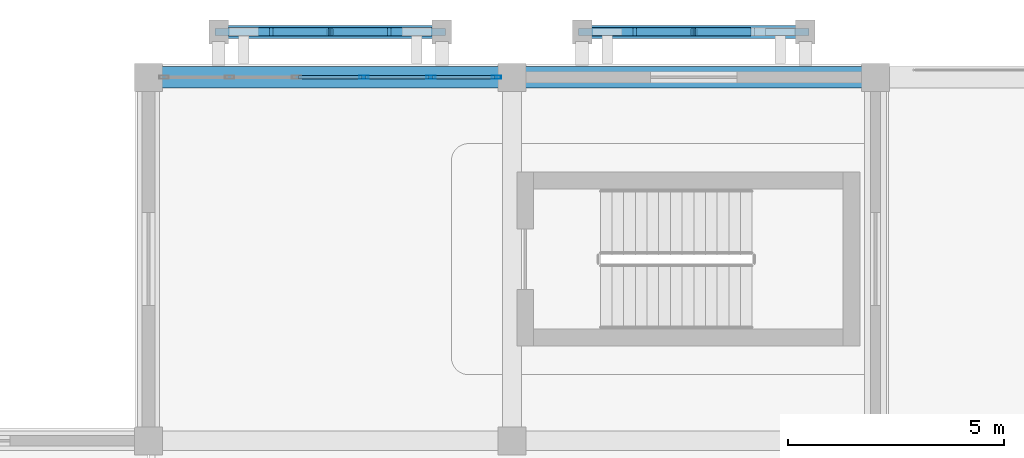
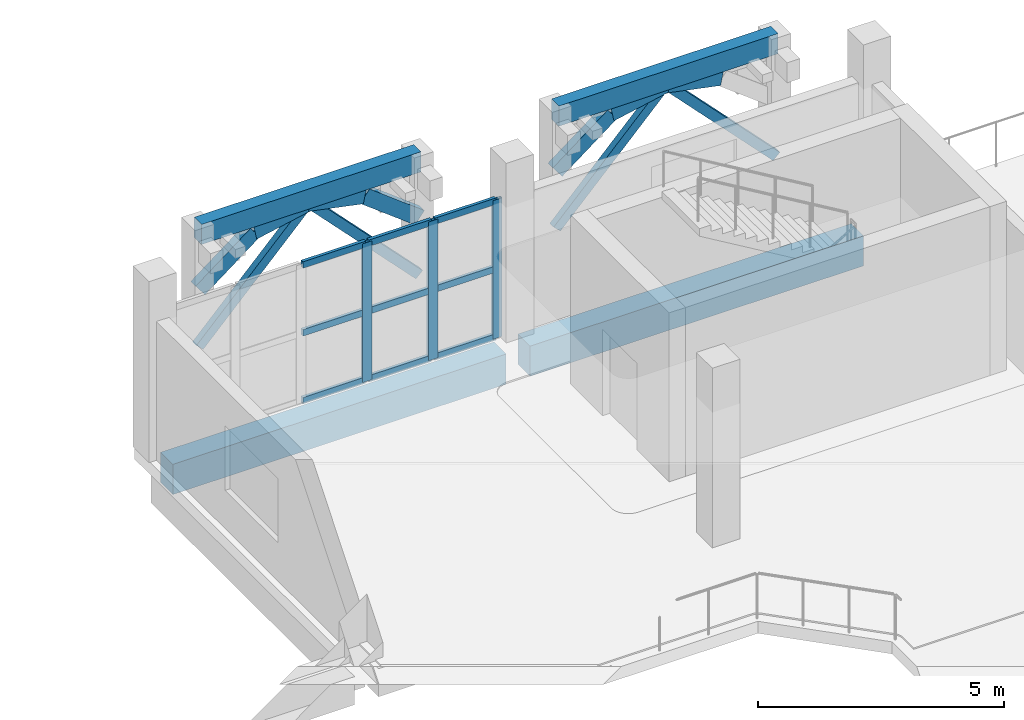
# One storey, part 11 of 22: 23 members, 4 beams, 1 element without a shape of its own.
"""IFC4 building model written with IfcOpenShell, lengths in metres."""

import ifcopenshell
import ifcopenshell.guid

model = None  # the IFC model being written
_history = None  # IfcOwnerHistory: only IFC2X3 demands one
_inside = {}  # id of a spatial element -> (the spatial element, [elements in it])
_under = {}  # id of a project, library or spatial element -> (it, [spatial elements below it])
_declared = {}  # id of a project -> (the project, [libraries it declares])
_typed = {}  # id of a type object -> (the type object, [elements of that type])
_made_of = {}  # id of a material, layer set ... -> (it, [elements and type objects made of it])


def new_model(schema):
    """Start an empty IFC model of exactly this schema.

    Asked for "IFC4X3", IfcOpenShell would pick the latest addendum, in which some entities
    have other attributes; the version numbers below select the first issue.
    IFC2X3 requires an IfcOwnerHistory on every rooted entity: one is made here for all.
    """
    global model, _history
    if schema == "IFC4X3":
        model = ifcopenshell.file(schema_version=(4, 3, 0, 0))
    else:
        model = ifcopenshell.file(schema=schema)
    _inside.clear()
    _under.clear()
    _declared.clear()
    _typed.clear()
    _made_of.clear()
    _history = None
    if model.schema == "IFC2X3":
        org = make("IfcOrganization", Name="unknown")
        user = make(
            "IfcPersonAndOrganization",
            ThePerson=make("IfcPerson", FamilyName="unknown"),
            TheOrganization=org,
        )
        app = make(
            "IfcApplication",
            ApplicationDeveloper=org,
            Version="unknown",
            ApplicationFullName="unknown",
            ApplicationIdentifier="unknown",
        )
        _history = make(
            "IfcOwnerHistory",
            OwningUser=user,
            OwningApplication=app,
            ChangeAction="ADDED",
            CreationDate=0,
        )
    return model


def make(cls, **values):
    """One entity of the class cls with the attributes given. An attribute that is None is left unset."""
    return model.create_entity(
        cls, **{name: value for name, value in values.items() if value is not None}
    )


def rooted(cls, **values):
    """An entity with a GlobalId (a new one), such as an element, a storey or a relation."""
    return make(cls, GlobalId=ifcopenshell.guid.new(), OwnerHistory=_history, **values)


def si_unit(unit_type, name, prefix=None):
    """IfcSIUnit, for example si_unit("LENGTHUNIT", "METRE", prefix="MILLI")."""
    return make("IfcSIUnit", UnitType=unit_type, Prefix=prefix, Name=name)


def assignment(units):
    """IfcUnitAssignment: the units of a project."""
    return None if units is None else make("IfcUnitAssignment", Units=units)


def point(xyz):
    """IfcCartesianPoint."""
    return None if xyz is None else make("IfcCartesianPoint", Coordinates=xyz)


def direction(xyz):
    """IfcDirection."""
    return None if xyz is None else make("IfcDirection", DirectionRatios=xyz)


def frame(location, z_axis=None, x_axis=None):
    """IfcAxis2Placement3D, a coordinate frame: its origin and axes. An axis left out is left unset."""
    return make(
        "IfcAxis2Placement3D",
        Location=point(location),
        Axis=direction(z_axis),
        RefDirection=direction(x_axis),
    )


def frame_2d(location, x_axis=None):
    """IfcAxis2Placement2D, a coordinate frame in the plane: its origin and x axis."""
    return make(
        "IfcAxis2Placement2D", Location=point(location), RefDirection=direction(x_axis)
    )


def origin():
    """The frame at (0, 0, 0) with its axes left unset."""
    return frame((0.0, 0.0, 0.0))


def origin_2d():
    """The frame at (0, 0) in the plane with its x axis left unset."""
    return frame_2d((0.0, 0.0))


def place(relative_to, where):
    """IfcLocalPlacement: puts the frame where relative to a parent placement (None: the world)."""
    return make(
        "IfcLocalPlacement", PlacementRelTo=relative_to, RelativePlacement=where
    )


def context(
    kind, dimensions, precision=None, world=None, true_north=None, identifier=None
):
    """IfcGeometricRepresentationContext, for example the 3D "Model" context."""
    return make(
        "IfcGeometricRepresentationContext",
        ContextIdentifier=identifier,
        ContextType=kind,
        CoordinateSpaceDimension=dimensions,
        Precision=precision,
        WorldCoordinateSystem=world,
        TrueNorth=true_north,
    )


def subcontext(parent, identifier, kind, view, scale=None):
    """IfcGeometricRepresentationSubContext, for example "Body" below "Model"."""
    return make(
        "IfcGeometricRepresentationSubContext",
        ContextIdentifier=identifier,
        ContextType=kind,
        ParentContext=parent,
        TargetScale=scale,
        TargetView=view,
    )


def project(units=None, contexts=None):
    """IfcProject with its units and contexts."""
    return rooted(
        "IfcProject",
        Name="project",
        RepresentationContexts=contexts,
        UnitsInContext=assignment(units),
    )


def spatial(cls, under=None, at=None, **own):
    """A site, building, storey or space (cls), placed at a placement, below another one or the project."""
    s = rooted(cls, ObjectPlacement=at, **own)
    if under is not None:
        _under.setdefault(under.id(), (under, []))[1].append(s)
    return s


def profile(cls, at=None, kind="AREA", **sizes):
    """A parametric profile (cls). Its sizes go by their IFC names, for example OverallWidth=200.0."""
    return make(cls, ProfileType=kind, Position=at, **sizes)


def rectangle(**sizes):
    """IfcRectangleProfileDef."""
    return profile("IfcRectangleProfileDef", **sizes)


def hollow_rectangle(**sizes):
    """IfcRectangleHollowProfileDef."""
    return profile("IfcRectangleHollowProfileDef", **sizes)


def extrude(swept, where, along, depth):
    """IfcExtrudedAreaSolid: the profile swept, set in the frame where, extruded along a direction by depth."""
    return make(
        "IfcExtrudedAreaSolid",
        SweptArea=swept,
        Position=where,
        ExtrudedDirection=direction(along),
        Depth=depth,
    )


def shape(context_of_items, identifier, shape_type, items):
    """IfcShapeRepresentation: the items that make up one representation, for example the "Body"."""
    return make(
        "IfcShapeRepresentation",
        ContextOfItems=context_of_items,
        RepresentationIdentifier=identifier,
        RepresentationType=shape_type,
        Items=items,
    )


def material(Name=None, Category=None):
    """IfcMaterial."""
    return make("IfcMaterial", Name=Name, Category=Category)


def layer(
    of_material, thickness, ventilated=None, Name=None, Category=None, Priority=None
):
    """IfcMaterialLayer: one layer of a wall or slab, of a material (None: an air gap)."""
    return make(
        "IfcMaterialLayer",
        Material=of_material,
        LayerThickness=thickness,
        IsVentilated=ventilated,
        Name=Name,
        Category=Category,
        Priority=Priority,
    )


def layer_set(layers, Name=None):
    """IfcMaterialLayerSet."""
    return make("IfcMaterialLayerSet", MaterialLayers=layers, LayerSetName=Name)


def material_profile(
    of_material, cross_section, Name=None, Category=None, Priority=None
):
    """IfcMaterialProfile: a cross section and its material."""
    return make(
        "IfcMaterialProfile",
        Name=Name,
        Material=of_material,
        Profile=cross_section,
        Priority=Priority,
        Category=Category,
    )


def profile_set(profiles, Name=None, composite=None):
    """IfcMaterialProfileSet."""
    return make(
        "IfcMaterialProfileSet",
        Name=Name,
        MaterialProfiles=profiles,
        CompositeProfile=composite,
    )


def made_of(thing, what):
    """Note that an element or type object is made of a material, layer set ...; save() writes the relation."""
    if what is not None:
        _made_of.setdefault(what.id(), (what, []))[1].append(thing)
    return thing


def type_object(cls, material=None, **own):
    """A type object (cls), such as IfcWallType, which elements share."""
    return made_of(rooted(cls, **own), material)


def element(
    cls,
    number,
    at=None,
    inside=None,
    cuts=None,
    type_object=None,
    material=None,
    context=None,
    identifier="Body",
    shape_type=None,
    held_by="IfcProductDefinitionShape",
    body=None,
    shapes=None,
    **own,
):
    """One element of the class cls, such as IfcWall. Its Tag is "e" and its number.

    at: its placement. inside: the storey or other place that contains it. cuts: it is an
    opening in that element (IfcRelVoidsElement). A single representation is given by context,
    identifier, shape_type and body (its items); several are given by shapes. held_by: the class
    of the entity that holds the representations. save() writes the other relations.
    """
    e = rooted(cls, Tag="e%d" % number, ObjectPlacement=at, **own)
    if body is not None:
        shapes = [shape(context, identifier, shape_type, body)]
    if shapes is not None:
        e.Representation = make(held_by, Representations=shapes)
    if inside is not None:
        _inside.setdefault(inside.id(), (inside, []))[1].append(e)
    if cuts is not None:
        rooted(
            "IfcRelVoidsElement", RelatingBuildingElement=cuts, RelatedOpeningElement=e
        )
    if type_object is not None:
        _typed.setdefault(type_object.id(), (type_object, []))[1].append(e)
    return made_of(e, material)


def aggregate(whole, parts):
    """IfcRelAggregates: a whole, such as a stair, and the parts it consists of."""
    return rooted("IfcRelAggregates", RelatingObject=whole, RelatedObjects=parts)


def save(model, path):
    """Write the relations noted so far, then the file.

    IfcRelAggregates (storeys below a building ...), IfcRelContainedInSpatialStructure (elements
    in a storey), IfcRelDefinesByType, IfcRelAssociatesMaterial and IfcRelDeclares: one each for
    every whole, place, type object, material and project.
    """
    for whole, parts in _under.values():
        aggregate(whole, parts)
    for where, things in _inside.values():
        rooted(
            "IfcRelContainedInSpatialStructure",
            RelatedElements=things,
            RelatingStructure=where,
        )
    for kind, things in _typed.values():
        rooted("IfcRelDefinesByType", RelatedObjects=things, RelatingType=kind)
    for what, things in _made_of.values():
        rooted("IfcRelAssociatesMaterial", RelatedObjects=things, RelatingMaterial=what)
    for by, libraries in _declared.values():
        rooted("IfcRelDeclares", RelatingContext=by, RelatedDefinitions=libraries)
    model.write(path)


model = new_model("IFC4")

# Units and contexts
model_context = context("Model", 3, precision=1e-05, world=origin(), true_north=direction((0.0, 1.0)))
body_context = subcontext(model_context, "Body", "Model", "MODEL_VIEW")
ifc_project = project(units=[si_unit("LENGTHUNIT", "METRE"), si_unit("AREAUNIT", "SQUARE_METRE"), si_unit("VOLUMEUNIT", "CUBIC_METRE"), si_unit("PLANEANGLEUNIT", "RADIAN"), si_unit("MASSUNIT", "GRAM", prefix="KILO")], contexts=[model_context])

# Site, building, storey
site_placement = place(None, origin())
site = spatial("IfcSite", under=ifc_project, at=site_placement, CompositionType="ELEMENT")
building_placement = place(site_placement, origin())
building = spatial("IfcBuilding", under=site, at=building_placement, Name="Xazarin Passage Department Store", CompositionType="ELEMENT")
storey_placement = place(building_placement, frame((0.0, 0.0, 27.89990234375)))
storey = spatial("IfcBuildingStorey", under=building, at=storey_placement, Name="L06", CompositionType="ELEMENT", Elevation=27.89990234375)

# Curtain wall, members
ifc_material_1 = material(Name="Bronze anodised aluminium", Category="aluminium")
ifc_layer = layer(ifc_material_1, 0.199951171875)
ifc_layer_set = layer_set([ifc_layer], Name="Bronze anodised aluminium")
curtain_wall_type = type_object("IfcCurtainWallType", Name="ARC-CW-VIT2", PredefinedType="NOTDEFINED", material=ifc_layer_set)
curtain_wall_placement = place(storey_placement, origin())
curtain_wall = element("IfcCurtainWall", 1, at=curtain_wall_placement, inside=storey, type_object=curtain_wall_type, Name="L06 V1 Curtain Wall 088", PredefinedType="NOTDEFINED")
ifc_material_profile_1 = material_profile(ifc_material_1, hollow_rectangle(XDim=0.074951171875, YDim=0.219970703125, WallThickness=0.0048828125, at=origin_2d()), Name="ALU 75x220")
ifc_profile_set_1 = profile_set([ifc_material_profile_1], Name="Bronze anodised aluminium")
member_type_1 = type_object("IfcMemberType", Name="ARC-CWM-75x220", PredefinedType="MULLION", material=ifc_profile_set_1)
member_1_placement = place(storey_placement, frame((21.77490234375, 110.0, 0.0), z_axis=(0.0, 0.0, 1.0), x_axis=(0.0, 1.0, 0.0)))
member_1 = element("IfcMember", 2, at=member_1_placement, type_object=member_type_1, Name="CW2 mullion 4", PredefinedType="MULLION", context=body_context, shape_type="SweptSolid", body=[
    extrude(hollow_rectangle(XDim=0.074951171875, YDim=0.219970703125, WallThickness=0.0048828125, at=origin_2d()), origin(), (0.0, 0.0, 1.0), 3.4501953125),
])
member_2_placement = place(storey_placement, frame((23.324951171875, 110.0, 0.0), z_axis=(0.0, 0.0, 1.0), x_axis=(0.0, 1.0, 0.0)))
member_2 = element("IfcMember", 3, at=member_2_placement, type_object=member_type_1, Name="CW2 mullion 5", PredefinedType="MULLION", context=body_context, shape_type="SweptSolid", body=[
    extrude(hollow_rectangle(XDim=0.074951171875, YDim=0.219970703125, WallThickness=0.0048828125, at=origin_2d()), origin(), (0.0, 0.0, 1.0), 3.4501953125),
])
member_3_placement = place(storey_placement, frame((24.83740234375, 110.0, 0.0), z_axis=(0.0, 0.0, 1.0), x_axis=(0.0, 1.0, 0.0)))
member_3 = element("IfcMember", 4, at=member_3_placement, type_object=member_type_1, Name="CW2 mullion 6", PredefinedType="MULLION", context=body_context, shape_type="SweptSolid", body=[
    extrude(hollow_rectangle(XDim=0.074951171875, YDim=0.219970703125, WallThickness=0.0048828125, at=origin_2d()), origin(), (0.0, 0.0, 1.0), 3.4501953125),
])
ifc_material_profile_2 = material_profile(ifc_material_1, hollow_rectangle(XDim=0.074951171875, YDim=0.159912109375, WallThickness=0.00439453125, at=origin_2d()), Name="ALU 75x160")
ifc_profile_set_2 = profile_set([ifc_material_profile_2], Name="Bronze anodised aluminium")
member_type_2 = type_object("IfcMemberType", Name="ARC-CWT-75x160", PredefinedType="USERDEFINED", material=ifc_profile_set_2)
member_4_placement = place(storey_placement, frame((20.262451171875, 110.0, 0.03759765625), z_axis=(1.0, 0.0, 0.0), x_axis=(0.0, 1.0, 0.0)))
member_4 = element("IfcMember", 5, at=member_4_placement, type_object=member_type_2, Name="CW2 transom 3.1", ObjectType="TRANSOM", PredefinedType="USERDEFINED", context=body_context, shape_type="SweptSolid", body=[
    extrude(hollow_rectangle(XDim=0.074951171875, YDim=0.159912109375, WallThickness=0.00439453125, at=origin_2d()), origin(), (0.0, 0.0, 1.0), 1.47509765625),
])
member_5_placement = place(storey_placement, frame((20.262451171875, 110.0, 1.72509765625), z_axis=(1.0, 0.0, 0.0), x_axis=(0.0, 1.0, 0.0)))
member_5 = element("IfcMember", 6, at=member_5_placement, type_object=member_type_2, Name="CW2 transom 3.2", ObjectType="TRANSOM", PredefinedType="USERDEFINED", context=body_context, shape_type="SweptSolid", body=[
    extrude(hollow_rectangle(XDim=0.074951171875, YDim=0.159912109375, WallThickness=0.00439453125, at=origin_2d()), origin(), (0.0, 0.0, 1.0), 1.47509765625),
])
member_6_placement = place(storey_placement, frame((20.262451171875, 110.0, 3.41259765625), z_axis=(1.0, 0.0, 0.0), x_axis=(0.0, 1.0, 0.0)))
member_6 = element("IfcMember", 7, at=member_6_placement, type_object=member_type_2, Name="CW2 transom 3.3", ObjectType="TRANSOM", PredefinedType="USERDEFINED", context=body_context, shape_type="SweptSolid", body=[
    extrude(hollow_rectangle(XDim=0.074951171875, YDim=0.159912109375, WallThickness=0.00439453125, at=origin_2d()), origin(), (0.0, 0.0, 1.0), 1.47509765625),
])
member_7_placement = place(storey_placement, frame((21.8125, 110.0, 0.03759765625), z_axis=(1.0, 0.0, 0.0), x_axis=(0.0, 1.0, 0.0)))
member_7 = element("IfcMember", 8, at=member_7_placement, type_object=member_type_2, Name="CW2 transom 4.1", ObjectType="TRANSOM", PredefinedType="USERDEFINED", context=body_context, shape_type="SweptSolid", body=[
    extrude(hollow_rectangle(XDim=0.074951171875, YDim=0.159912109375, WallThickness=0.00439453125, at=origin_2d()), origin(), (0.0, 0.0, 1.0), 1.47509765625),
])
member_8_placement = place(storey_placement, frame((21.8125, 110.0, 1.72509765625), z_axis=(1.0, 0.0, 0.0), x_axis=(0.0, 1.0, 0.0)))
member_8 = element("IfcMember", 9, at=member_8_placement, type_object=member_type_2, Name="CW2 transom 4.2", ObjectType="TRANSOM", PredefinedType="USERDEFINED", context=body_context, shape_type="SweptSolid", body=[
    extrude(hollow_rectangle(XDim=0.074951171875, YDim=0.159912109375, WallThickness=0.00439453125, at=origin_2d()), origin(), (0.0, 0.0, 1.0), 1.47509765625),
])
member_9_placement = place(storey_placement, frame((21.8125, 110.0, 3.41259765625), z_axis=(1.0, 0.0, 0.0), x_axis=(0.0, 1.0, 0.0)))
member_9 = element("IfcMember", 10, at=member_9_placement, type_object=member_type_2, Name="CW2 transom 4.3", ObjectType="TRANSOM", PredefinedType="USERDEFINED", context=body_context, shape_type="SweptSolid", body=[
    extrude(hollow_rectangle(XDim=0.074951171875, YDim=0.159912109375, WallThickness=0.00439453125, at=origin_2d()), origin(), (0.0, 0.0, 1.0), 1.47509765625),
])
member_10_placement = place(storey_placement, frame((23.362548828125, 110.0, 0.03759765625), z_axis=(1.0, 0.0, 0.0), x_axis=(0.0, 1.0, 0.0)))
member_10 = element("IfcMember", 11, at=member_10_placement, type_object=member_type_2, Name="CW2 transom 5.1", ObjectType="TRANSOM", PredefinedType="USERDEFINED", context=body_context, shape_type="SweptSolid", body=[
    extrude(hollow_rectangle(XDim=0.074951171875, YDim=0.159912109375, WallThickness=0.00439453125, at=origin_2d()), origin(), (0.0, 0.0, 1.0), 1.4375),
])
member_11_placement = place(storey_placement, frame((23.362548828125, 110.0, 1.72509765625), z_axis=(1.0, 0.0, 0.0), x_axis=(0.0, 1.0, 0.0)))
member_11 = element("IfcMember", 12, at=member_11_placement, type_object=member_type_2, Name="CW2 transom 5.2", ObjectType="TRANSOM", PredefinedType="USERDEFINED", context=body_context, shape_type="SweptSolid", body=[
    extrude(hollow_rectangle(XDim=0.074951171875, YDim=0.159912109375, WallThickness=0.00439453125, at=origin_2d()), origin(), (0.0, 0.0, 1.0), 1.4375),
])
member_12_placement = place(storey_placement, frame((23.362548828125, 110.0, 3.41259765625), z_axis=(1.0, 0.0, 0.0), x_axis=(0.0, 1.0, 0.0)))
member_12 = element("IfcMember", 13, at=member_12_placement, type_object=member_type_2, Name="CW2 transom 5.3", ObjectType="TRANSOM", PredefinedType="USERDEFINED", context=body_context, shape_type="SweptSolid", body=[
    extrude(hollow_rectangle(XDim=0.074951171875, YDim=0.159912109375, WallThickness=0.00439453125, at=origin_2d()), origin(), (0.0, 0.0, 1.0), 1.4375),
])
aggregate(curtain_wall, [member_1, member_2, member_3, member_4, member_5, member_6, member_7, member_8, member_9, member_10, member_11, member_12])

# Beams
ifc_material_2 = material(Name="Concrete C35/45", Category="concrete")
ifc_material_profile_3 = material_profile(ifc_material_2, rectangle(XDim=0.300048828125, YDim=0.5, at=origin_2d()), Name="RC 300x500")
ifc_profile_set_3 = profile_set([ifc_material_profile_3], Name="Concrete C35/45")
beam_type_1 = type_object("IfcBeamType", Name="STR-BM-LN300x500", PredefinedType="LINTEL", material=ifc_profile_set_3)
beam_1_placement = place(storey_placement, frame((18.419921875, 111.050048828125, 4.25), z_axis=(1.0, 0.0, 0.0), x_axis=(0.0, 1.0, 0.0)))
element("IfcBeam", 14, at=beam_1_placement, inside=storey, type_object=beam_type_1, Name="L06 V1 Colonnade Spandrel Beam 001", PredefinedType="LINTEL", context=body_context, shape_type="SweptSolid", body=[
    extrude(rectangle(XDim=0.300048828125, YDim=0.5, at=origin_2d()), origin(), (0.0, 0.0, 1.0), 5.16015625),
])
beam_2_placement = place(storey_placement, frame((26.820068359375, 111.050048828125, 4.25), z_axis=(1.0, 0.0, 0.0), x_axis=(0.0, 1.0, 0.0)))
element("IfcBeam", 15, at=beam_2_placement, inside=storey, type_object=beam_type_1, Name="L06 V1 Colonnade Spandrel Beam 002", PredefinedType="LINTEL", context=body_context, shape_type="SweptSolid", body=[
    extrude(rectangle(XDim=0.300048828125, YDim=0.5, at=origin_2d()), origin(), (0.0, 0.0, 1.0), 5.159912109375),
])
ifc_material_profile_4 = material_profile(ifc_material_2, rectangle(XDim=0.5, YDim=0.75, at=origin_2d()), Name="RC 500x750")
ifc_profile_set_4 = profile_set([ifc_material_profile_4], Name="Concrete C35/45")
beam_type_2 = type_object("IfcBeamType", Name="STR-BM-SP500x750", PredefinedType="SPANDREL", material=ifc_profile_set_4)
beam_3_placement = place(storey_placement, frame((17.080078125, 110.0, -0.6748046875), z_axis=(1.0, 0.0, 0.0), x_axis=(0.0, 1.0, 0.0)))
element("IfcBeam", 16, at=beam_3_placement, inside=storey, type_object=beam_type_2, Name="L06 Grid Beam Q/3-4", PredefinedType="SPANDREL", context=body_context, shape_type="SweptSolid", body=[
    extrude(rectangle(XDim=0.5, YDim=0.75, at=origin_2d()), origin(), (0.0, 0.0, 1.0), 7.83984375),
])
beam_4_placement = place(storey_placement, frame((25.47998046875, 110.0, -0.6748046875), z_axis=(1.0, 0.0, 0.0), x_axis=(0.0, 1.0, 0.0)))
element("IfcBeam", 17, at=beam_4_placement, inside=storey, type_object=beam_type_2, Name="L06 Grid Beam Q/4-5", PredefinedType="SPANDREL", context=body_context, shape_type="SweptSolid", body=[
    extrude(rectangle(XDim=0.5, YDim=0.75, at=origin_2d()), origin(), (0.0, 0.0, 1.0), 7.840087890625),
])

# Members
ifc_material_3 = material(Name="Concrete C40/50", Category="concrete")
ifc_material_profile_5 = material_profile(ifc_material_3, rectangle(XDim=0.199951171875, YDim=0.360107421875, at=origin_2d()), Name="RC 200x360")
ifc_profile_set_5 = profile_set([ifc_material_profile_5], Name="Concrete C40/50")
member_type_3 = type_object("IfcMemberType", Name="STR-MEM-ARC360", PredefinedType="CHORD", material=ifc_profile_set_5)
member_13_placement = place(storey_placement, frame((18.419921875, 111.050048828125, 2.830078125), z_axis=(0.79440903847, 0.0, 0.607383140692), x_axis=(0.0, 1.0, 0.0)))
element("IfcMember", 18, at=member_13_placement, inside=storey, type_object=member_type_3, Name="L06 V1 Pierced Lattice Curved Arch 001.1", PredefinedType="CHORD", context=body_context, shape_type="SweptSolid", body=[
    extrude(rectangle(XDim=0.199951171875, YDim=0.360107421875, at=origin_2d()), origin(), (0.0, 0.0, 1.0), 1.623779296875),
])
for number, where, z_axis, x_axis, name in (
    (19, (19.7099609375, 111.050048828125, 3.81640625), (0.979744705887, 0.0, 0.200250621188), (0.0, 1.0, 0.0), "L06 V1 Pierced Lattice Curved Arch 001.2"),
    (20, (21.0, 111.050048828125, 4.080078125), (0.979744705887, 0.0, -0.200250621188), (0.0, 1.0, 0.0), "L06 V1 Pierced Lattice Curved Arch 001.3"),
):
    element("IfcMember", number, at=place(storey_placement, frame(where, z_axis=z_axis, x_axis=x_axis)), inside=storey, type_object=member_type_3, Name=name, PredefinedType="CHORD", context=body_context, shape_type="SweptSolid", body=[
        extrude(rectangle(XDim=0.199951171875, YDim=0.360107421875, at=origin_2d()), origin(), (0.0, 0.0, 1.0), 1.316650390625),
    ])
for number, where, z_axis, x_axis, name in (
    (21, (22.2900390625, 111.050048828125, 3.81640625), (0.79440903847, 0.0, -0.607383140692), (0.0, 1.0, 0.0), "L06 V1 Pierced Lattice Curved Arch 001.4"),
    (22, (26.820068359375, 111.050048828125, 2.830078125), (0.79440903847, 0.0, 0.607383140692), (0.0, 1.0, 0.0), "L06 V1 Pierced Lattice Curved Arch 002.1"),
):
    element("IfcMember", number, at=place(storey_placement, frame(where, z_axis=z_axis, x_axis=x_axis)), inside=storey, type_object=member_type_3, Name=name, PredefinedType="CHORD", context=body_context, shape_type="SweptSolid", body=[
        extrude(rectangle(XDim=0.199951171875, YDim=0.360107421875, at=origin_2d()), origin(), (0.0, 0.0, 1.0), 1.623779296875),
    ])
member_14_placement = place(storey_placement, frame((28.110107421875, 111.050048828125, 3.81640625), z_axis=(0.979737268571, 0.0, 0.2002870055), x_axis=(0.0, 1.0, 0.0)))
element("IfcMember", 23, at=member_14_placement, inside=storey, type_object=member_type_3, Name="L06 V1 Pierced Lattice Curved Arch 002.2", PredefinedType="CHORD", context=body_context, shape_type="SweptSolid", body=[
    extrude(rectangle(XDim=0.199951171875, YDim=0.360107421875, at=origin_2d()), origin(), (0.0, 0.0, 1.0), 1.31640625),
])
member_15_placement = place(storey_placement, frame((29.39990234375, 111.050048828125, 4.080078125), z_axis=(0.979744705887, 0.0, -0.200250621188), x_axis=(0.0, 1.0, 0.0)))
element("IfcMember", 24, at=member_15_placement, inside=storey, type_object=member_type_3, Name="L06 V1 Pierced Lattice Curved Arch 002.3", PredefinedType="CHORD", context=body_context, shape_type="SweptSolid", body=[
    extrude(rectangle(XDim=0.199951171875, YDim=0.360107421875, at=origin_2d()), origin(), (0.0, 0.0, 1.0), 1.316650390625),
])
ifc_material_profile_6 = material_profile(ifc_material_3, rectangle(XDim=0.159912109375, YDim=0.219970703125, at=origin_2d()), Name="RC 160x220")
ifc_profile_set_6 = profile_set([ifc_material_profile_6], Name="Concrete C40/50")
member_type_4 = type_object("IfcMemberType", Name="STR-MEM-TRC220", PredefinedType="CHORD", material=ifc_profile_set_6)
for number, where, z_axis, x_axis, name in (
    (25, (21.0, 111.050048828125, 4.080078125), (-0.693558444435, 0.0, -0.720400363793), (0.0, -1.0, 0.0), "L06 V1 Upper Lattice Tracery Arch 001L"),
    (26, (21.0, 111.050048828125, 4.080078125), (0.693558444435, 0.0, -0.720400363793), (0.0, 1.0, 0.0), "L06 V1 Upper Lattice Tracery Arch 001R"),
    (27, (29.39990234375, 111.050048828125, 4.080078125), (-0.693524382622, 0.0, -0.72043315492), (0.0, -1.0, 0.0), "L06 V1 Upper Lattice Tracery Arch 002L"),
    (28, (29.39990234375, 111.050048828125, 4.080078125), (0.693558444435, 0.0, -0.720400363793), (0.0, 1.0, 0.0), "L06 V1 Upper Lattice Tracery Arch 002R"),
):
    element("IfcMember", number, at=place(storey_placement, frame(where, z_axis=z_axis, x_axis=x_axis)), inside=storey, type_object=member_type_4, Name=name, PredefinedType="CHORD", context=body_context, shape_type="SweptSolid", body=[
        extrude(rectangle(XDim=0.159912109375, YDim=0.219970703125, at=origin_2d()), origin(), (0.0, 0.0, 1.0), 3.719970703125),
    ])

save(model, "model.ifc")
